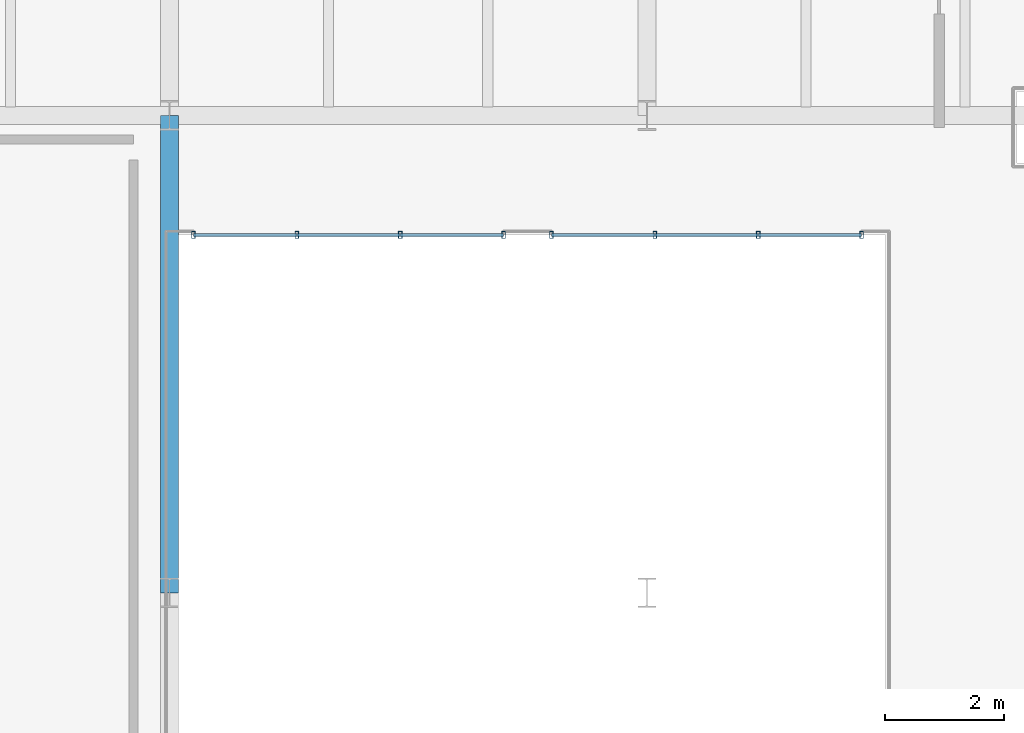
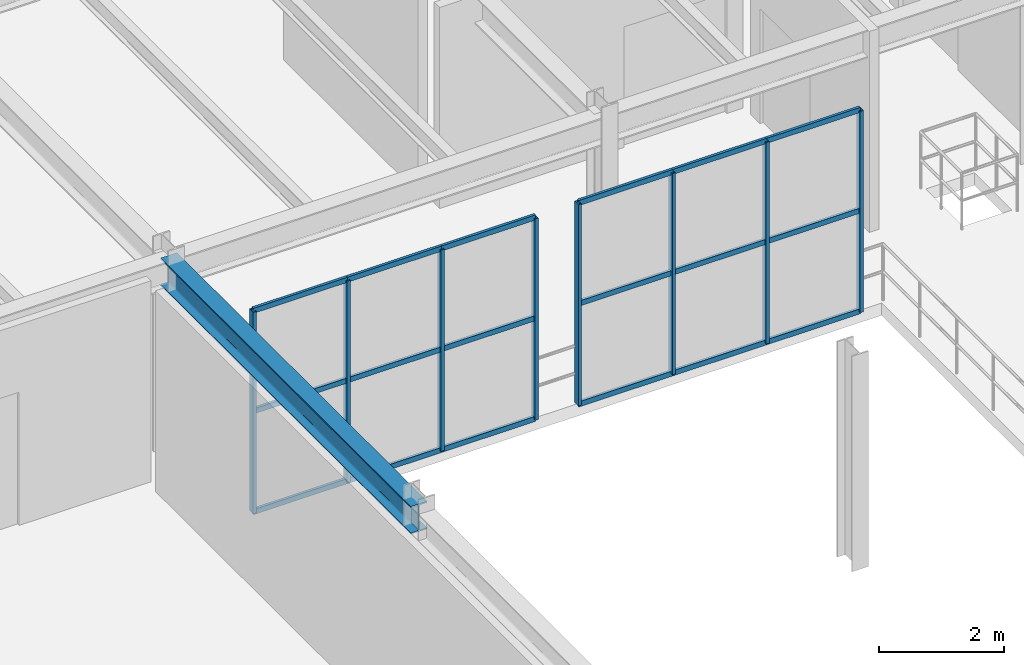
# One storey, part 64 of 122: 26 members, 1 beam, 2 elements without a shape of their own.
"""IFC4 building model written with IfcOpenShell, lengths in metres."""

from ifc_helpers import new_model, si_unit, direction, frame, origin, origin_2d, place, context, subcontext, project, spatial, hollow_rectangle, i_section, extrude, material, material_profile, profile_set, type_object, element, aggregate, save


model = new_model("IFC4")

# Units and contexts
model_context = context("Model", 3, precision=1e-05, world=origin(), true_north=direction((0.0, 1.0)))
body_context = subcontext(model_context, "Body", "Model", "MODEL_VIEW")
ifc_project = project(units=[si_unit("LENGTHUNIT", "METRE"), si_unit("AREAUNIT", "SQUARE_METRE"), si_unit("VOLUMEUNIT", "CUBIC_METRE"), si_unit("PLANEANGLEUNIT", "RADIAN"), si_unit("MASSUNIT", "GRAM", prefix="KILO")], contexts=[model_context])

# Site, building, storey
site_placement = place(None, origin())
site = spatial("IfcSite", under=ifc_project, at=site_placement, CompositionType="ELEMENT")
building_placement = place(site_placement, origin())
building = spatial("IfcBuilding", under=site, at=building_placement, Name="Sundkrona Museum", CompositionType="ELEMENT")
storey_placement = place(building_placement, frame((0.0, 0.0, 5.39990234375)))
storey = spatial("IfcBuildingStorey", under=building, at=storey_placement, Name="L01", CompositionType="ELEMENT", Elevation=5.39990234375)

# Beam
ifc_material_1 = material(Name="Steel S355J2", Category="steel")
ifc_material_profile_1 = material_profile(ifc_material_1, i_section(OverallWidth=0.300048828125, OverallDepth=0.5400390625, WebThickness=0.012451171875, FlangeThickness=0.02392578125, FilletRadius=0.027099609375, at=origin_2d()), Name="HEA 550")
ifc_profile_set_1 = profile_set([ifc_material_profile_1], Name="Steel S355J2")
beam_type = type_object("IfcBeamType", Name="B-HEA550", PredefinedType="BEAM", material=ifc_profile_set_1)
beam_placement = place(storey_placement, frame((136.0, 24.0, 3.650146484375), z_axis=(0.0, 1.0, 0.0), x_axis=(-1.0, 0.0, 0.0)))
element("IfcBeam", 1, at=beam_placement, inside=storey, type_object=beam_type, Name="L01 Girder Y-1056", PredefinedType="BEAM", context=body_context, shape_type="SweptSolid", body=[
    extrude(i_section(OverallWidth=0.300048828125, OverallDepth=0.5400390625, WebThickness=0.012451171875, FlangeThickness=0.02392578125, FilletRadius=0.027099609375, at=origin_2d()), origin(), (0.0, 0.0, 1.0), 8.0),
])

# Curtain wall, members
ifc_material_2 = material(Name="Unitised Aluminium-Steel and Ceramic-Clad Curtain Walling", Category="steel")
curtain_wall_type = type_object("IfcCurtainWallType", Name="CW-SC-52x38", PredefinedType="NOTDEFINED", material=ifc_material_2)
curtain_wall_1_placement = place(storey_placement, origin())
curtain_wall_1 = element("IfcCurtainWall", 2, at=curtain_wall_1_placement, inside=storey, type_object=curtain_wall_type, Name="L01 Curtain Wall CW-L01-002", PredefinedType="NOTDEFINED")
ifc_material_3 = material(Name="Aluminium EN AW-6060 T66", Category="aluminium")
ifc_material_profile_2 = material_profile(ifc_material_3, hollow_rectangle(XDim=0.06005859375, YDim=0.1201171875, WallThickness=0.0048828125, at=origin_2d()), Name="RHS 120x60x5.0")
ifc_profile_set_2 = profile_set([ifc_material_profile_2], Name="Aluminium EN AW-6060 T66")
member_type_1 = type_object("IfcMemberType", Name="ML-120", PredefinedType="MULLION", material=ifc_profile_set_2)
member_1_placement = place(storey_placement, frame((136.39990234375, 30.0, -0.00390625), z_axis=(0.0, 0.0, 1.0), x_axis=(1.0, 0.0, 0.0)))
member_1 = element("IfcMember", 3, at=member_1_placement, type_object=member_type_1, Name="CW-L01-002 Mullion 01", PredefinedType="MULLION", context=body_context, shape_type="SweptSolid", body=[
    extrude(hollow_rectangle(XDim=0.06005859375, YDim=0.1201171875, WallThickness=0.0048828125, at=origin_2d()), origin(), (0.0, 0.0, 1.0), 3.927978515625),
])
member_2_placement = place(storey_placement, frame((138.13330078125, 30.0, -0.00390625), z_axis=(0.0, 0.0, 1.0), x_axis=(1.0, 0.0, 0.0)))
member_2 = element("IfcMember", 4, at=member_2_placement, type_object=member_type_1, Name="CW-L01-002 Mullion 02", PredefinedType="MULLION", context=body_context, shape_type="SweptSolid", body=[
    extrude(hollow_rectangle(XDim=0.06005859375, YDim=0.1201171875, WallThickness=0.0048828125, at=origin_2d()), origin(), (0.0, 0.0, 1.0), 3.927978515625),
])
member_3_placement = place(storey_placement, frame((139.86669921875, 30.0, -0.00390625), z_axis=(0.0, 0.0, 1.0), x_axis=(1.0, 0.0, 0.0)))
member_3 = element("IfcMember", 5, at=member_3_placement, type_object=member_type_1, Name="CW-L01-002 Mullion 03", PredefinedType="MULLION", context=body_context, shape_type="SweptSolid", body=[
    extrude(hollow_rectangle(XDim=0.06005859375, YDim=0.1201171875, WallThickness=0.0048828125, at=origin_2d()), origin(), (0.0, 0.0, 1.0), 3.927978515625),
])
member_4_placement = place(storey_placement, frame((141.60009765625, 30.0, -0.00390625), z_axis=(0.0, 0.0, 1.0), x_axis=(1.0, 0.0, 0.0)))
member_4 = element("IfcMember", 6, at=member_4_placement, type_object=member_type_1, Name="CW-L01-002 Mullion 04", PredefinedType="MULLION", context=body_context, shape_type="SweptSolid", body=[
    extrude(hollow_rectangle(XDim=0.06005859375, YDim=0.1201171875, WallThickness=0.0048828125, at=origin_2d()), origin(), (0.0, 0.0, 1.0), 3.927978515625),
])

curtain_wall_2_placement = place(storey_placement, origin())
curtain_wall_2 = element("IfcCurtainWall", 7, at=curtain_wall_2_placement, inside=storey, type_object=curtain_wall_type, Name="L01 Curtain Wall CW-L01-004", PredefinedType="NOTDEFINED")
member_5_placement = place(storey_placement, frame((142.39990234375, 30.0, -0.00390625), z_axis=(0.0, 0.0, 1.0), x_axis=(1.0, 0.0, 0.0)))
member_5 = element("IfcMember", 8, at=member_5_placement, type_object=member_type_1, Name="CW-L01-004 Mullion 01", PredefinedType="MULLION", context=body_context, shape_type="SweptSolid", body=[
    extrude(hollow_rectangle(XDim=0.06005859375, YDim=0.1201171875, WallThickness=0.0048828125, at=origin_2d()), origin(), (0.0, 0.0, 1.0), 3.927978515625),
])
member_6_placement = place(storey_placement, frame((144.13330078125, 30.0, -0.00390625), z_axis=(0.0, 0.0, 1.0), x_axis=(1.0, 0.0, 0.0)))
member_6 = element("IfcMember", 9, at=member_6_placement, type_object=member_type_1, Name="CW-L01-004 Mullion 02", PredefinedType="MULLION", context=body_context, shape_type="SweptSolid", body=[
    extrude(hollow_rectangle(XDim=0.06005859375, YDim=0.1201171875, WallThickness=0.0048828125, at=origin_2d()), origin(), (0.0, 0.0, 1.0), 3.927978515625),
])
member_7_placement = place(storey_placement, frame((145.86669921875, 30.0, -0.00390625), z_axis=(0.0, 0.0, 1.0), x_axis=(1.0, 0.0, 0.0)))
member_7 = element("IfcMember", 10, at=member_7_placement, type_object=member_type_1, Name="CW-L01-004 Mullion 03", PredefinedType="MULLION", context=body_context, shape_type="SweptSolid", body=[
    extrude(hollow_rectangle(XDim=0.06005859375, YDim=0.1201171875, WallThickness=0.0048828125, at=origin_2d()), origin(), (0.0, 0.0, 1.0), 3.927978515625),
])
member_8_placement = place(storey_placement, frame((147.60009765625, 30.0, -0.00390625), z_axis=(0.0, 0.0, 1.0), x_axis=(1.0, 0.0, 0.0)))
member_8 = element("IfcMember", 11, at=member_8_placement, type_object=member_type_1, Name="CW-L01-004 Mullion 04", PredefinedType="MULLION", context=body_context, shape_type="SweptSolid", body=[
    extrude(hollow_rectangle(XDim=0.06005859375, YDim=0.1201171875, WallThickness=0.0048828125, at=origin_2d()), origin(), (0.0, 0.0, 1.0), 3.927978515625),
])

# Member
ifc_material_profile_3 = material_profile(ifc_material_3, hollow_rectangle(XDim=0.050048828125, YDim=0.10009765625, WallThickness=0.0048828125, at=origin_2d()), Name="RHS 100x50x5.0")
ifc_profile_set_3 = profile_set([ifc_material_profile_3], Name="Aluminium EN AW-6060 T66")
member_type_2 = type_object("IfcMemberType", Name="TR-100", PredefinedType="USERDEFINED", material=ifc_profile_set_3)
member_9_placement = place(storey_placement, frame((136.39990234375, 30.0, -0.00390625), z_axis=(1.0, 0.0, 0.0), x_axis=(0.0, 1.0, 0.0)))
member_9 = element("IfcMember", 12, at=member_9_placement, type_object=member_type_2, Name="CW-L01-002 Transom 01", ObjectType="TRANSOM", PredefinedType="USERDEFINED", context=body_context, shape_type="SweptSolid", body=[
    extrude(hollow_rectangle(XDim=0.050048828125, YDim=0.10009765625, WallThickness=0.0048828125, at=origin_2d()), origin(), (0.0, 0.0, 1.0), 1.7333984375),
])

member_10_placement = place(storey_placement, frame((136.39990234375, 30.0, 1.960205078125), z_axis=(1.0, 0.0, 0.0), x_axis=(0.0, 1.0, 0.0)))
member_10 = element("IfcMember", 13, at=member_10_placement, type_object=member_type_2, Name="CW-L01-002 Transom 02", ObjectType="TRANSOM", PredefinedType="USERDEFINED", context=body_context, shape_type="SweptSolid", body=[
    extrude(hollow_rectangle(XDim=0.050048828125, YDim=0.10009765625, WallThickness=0.0048828125, at=origin_2d()), origin(), (0.0, 0.0, 1.0), 1.7333984375),
])

member_11_placement = place(storey_placement, frame((136.39990234375, 30.0, 3.924072265625), z_axis=(1.0, 0.0, 0.0), x_axis=(0.0, 1.0, 0.0)))
member_11 = element("IfcMember", 14, at=member_11_placement, type_object=member_type_2, Name="CW-L01-002 Transom 03", ObjectType="TRANSOM", PredefinedType="USERDEFINED", context=body_context, shape_type="SweptSolid", body=[
    extrude(hollow_rectangle(XDim=0.050048828125, YDim=0.10009765625, WallThickness=0.0048828125, at=origin_2d()), origin(), (0.0, 0.0, 1.0), 1.7333984375),
])

member_12_placement = place(storey_placement, frame((138.13330078125, 30.0, -0.00390625), z_axis=(1.0, 0.0, 0.0), x_axis=(0.0, 1.0, 0.0)))
member_12 = element("IfcMember", 15, at=member_12_placement, type_object=member_type_2, Name="CW-L01-002 Transom 04", ObjectType="TRANSOM", PredefinedType="USERDEFINED", context=body_context, shape_type="SweptSolid", body=[
    extrude(hollow_rectangle(XDim=0.050048828125, YDim=0.10009765625, WallThickness=0.0048828125, at=origin_2d()), origin(), (0.0, 0.0, 1.0), 1.7333984375),
])

member_13_placement = place(storey_placement, frame((138.13330078125, 30.0, 1.960205078125), z_axis=(1.0, 0.0, 0.0), x_axis=(0.0, 1.0, 0.0)))
member_13 = element("IfcMember", 16, at=member_13_placement, type_object=member_type_2, Name="CW-L01-002 Transom 05", ObjectType="TRANSOM", PredefinedType="USERDEFINED", context=body_context, shape_type="SweptSolid", body=[
    extrude(hollow_rectangle(XDim=0.050048828125, YDim=0.10009765625, WallThickness=0.0048828125, at=origin_2d()), origin(), (0.0, 0.0, 1.0), 1.7333984375),
])

member_14_placement = place(storey_placement, frame((138.13330078125, 30.0, 3.924072265625), z_axis=(1.0, 0.0, 0.0), x_axis=(0.0, 1.0, 0.0)))
member_14 = element("IfcMember", 17, at=member_14_placement, type_object=member_type_2, Name="CW-L01-002 Transom 06", ObjectType="TRANSOM", PredefinedType="USERDEFINED", context=body_context, shape_type="SweptSolid", body=[
    extrude(hollow_rectangle(XDim=0.050048828125, YDim=0.10009765625, WallThickness=0.0048828125, at=origin_2d()), origin(), (0.0, 0.0, 1.0), 1.7333984375),
])

member_15_placement = place(storey_placement, frame((139.86669921875, 30.0, -0.00390625), z_axis=(1.0, 0.0, 0.0), x_axis=(0.0, 1.0, 0.0)))
member_15 = element("IfcMember", 18, at=member_15_placement, type_object=member_type_2, Name="CW-L01-002 Transom 07", ObjectType="TRANSOM", PredefinedType="USERDEFINED", context=body_context, shape_type="SweptSolid", body=[
    extrude(hollow_rectangle(XDim=0.050048828125, YDim=0.10009765625, WallThickness=0.0048828125, at=origin_2d()), origin(), (0.0, 0.0, 1.0), 1.7333984375),
])

member_16_placement = place(storey_placement, frame((139.86669921875, 30.0, 1.960205078125), z_axis=(1.0, 0.0, 0.0), x_axis=(0.0, 1.0, 0.0)))
member_16 = element("IfcMember", 19, at=member_16_placement, type_object=member_type_2, Name="CW-L01-002 Transom 08", ObjectType="TRANSOM", PredefinedType="USERDEFINED", context=body_context, shape_type="SweptSolid", body=[
    extrude(hollow_rectangle(XDim=0.050048828125, YDim=0.10009765625, WallThickness=0.0048828125, at=origin_2d()), origin(), (0.0, 0.0, 1.0), 1.7333984375),
])

member_17_placement = place(storey_placement, frame((139.86669921875, 30.0, 3.924072265625), z_axis=(1.0, 0.0, 0.0), x_axis=(0.0, 1.0, 0.0)))
member_17 = element("IfcMember", 20, at=member_17_placement, type_object=member_type_2, Name="CW-L01-002 Transom 09", ObjectType="TRANSOM", PredefinedType="USERDEFINED", context=body_context, shape_type="SweptSolid", body=[
    extrude(hollow_rectangle(XDim=0.050048828125, YDim=0.10009765625, WallThickness=0.0048828125, at=origin_2d()), origin(), (0.0, 0.0, 1.0), 1.7333984375),
])

aggregate(curtain_wall_1, [member_1, member_2, member_3, member_4, member_9, member_10, member_11, member_12, member_13, member_14, member_15, member_16, member_17])

member_18_placement = place(storey_placement, frame((142.39990234375, 30.0, -0.00390625), z_axis=(1.0, 0.0, 0.0), x_axis=(0.0, 1.0, 0.0)))
member_18 = element("IfcMember", 21, at=member_18_placement, type_object=member_type_2, Name="CW-L01-004 Transom 01", ObjectType="TRANSOM", PredefinedType="USERDEFINED", context=body_context, shape_type="SweptSolid", body=[
    extrude(hollow_rectangle(XDim=0.050048828125, YDim=0.10009765625, WallThickness=0.0048828125, at=origin_2d()), origin(), (0.0, 0.0, 1.0), 1.7333984375),
])

member_19_placement = place(storey_placement, frame((142.39990234375, 30.0, 1.960205078125), z_axis=(1.0, 0.0, 0.0), x_axis=(0.0, 1.0, 0.0)))
member_19 = element("IfcMember", 22, at=member_19_placement, type_object=member_type_2, Name="CW-L01-004 Transom 02", ObjectType="TRANSOM", PredefinedType="USERDEFINED", context=body_context, shape_type="SweptSolid", body=[
    extrude(hollow_rectangle(XDim=0.050048828125, YDim=0.10009765625, WallThickness=0.0048828125, at=origin_2d()), origin(), (0.0, 0.0, 1.0), 1.7333984375),
])

member_20_placement = place(storey_placement, frame((142.39990234375, 30.0, 3.924072265625), z_axis=(1.0, 0.0, 0.0), x_axis=(0.0, 1.0, 0.0)))
member_20 = element("IfcMember", 23, at=member_20_placement, type_object=member_type_2, Name="CW-L01-004 Transom 03", ObjectType="TRANSOM", PredefinedType="USERDEFINED", context=body_context, shape_type="SweptSolid", body=[
    extrude(hollow_rectangle(XDim=0.050048828125, YDim=0.10009765625, WallThickness=0.0048828125, at=origin_2d()), origin(), (0.0, 0.0, 1.0), 1.7333984375),
])

member_21_placement = place(storey_placement, frame((144.13330078125, 30.0, -0.00390625), z_axis=(1.0, 0.0, 0.0), x_axis=(0.0, 1.0, 0.0)))
member_21 = element("IfcMember", 24, at=member_21_placement, type_object=member_type_2, Name="CW-L01-004 Transom 04", ObjectType="TRANSOM", PredefinedType="USERDEFINED", context=body_context, shape_type="SweptSolid", body=[
    extrude(hollow_rectangle(XDim=0.050048828125, YDim=0.10009765625, WallThickness=0.0048828125, at=origin_2d()), origin(), (0.0, 0.0, 1.0), 1.7333984375),
])

member_22_placement = place(storey_placement, frame((144.13330078125, 30.0, 1.960205078125), z_axis=(1.0, 0.0, 0.0), x_axis=(0.0, 1.0, 0.0)))
member_22 = element("IfcMember", 25, at=member_22_placement, type_object=member_type_2, Name="CW-L01-004 Transom 05", ObjectType="TRANSOM", PredefinedType="USERDEFINED", context=body_context, shape_type="SweptSolid", body=[
    extrude(hollow_rectangle(XDim=0.050048828125, YDim=0.10009765625, WallThickness=0.0048828125, at=origin_2d()), origin(), (0.0, 0.0, 1.0), 1.7333984375),
])

member_23_placement = place(storey_placement, frame((144.13330078125, 30.0, 3.924072265625), z_axis=(1.0, 0.0, 0.0), x_axis=(0.0, 1.0, 0.0)))
member_23 = element("IfcMember", 26, at=member_23_placement, type_object=member_type_2, Name="CW-L01-004 Transom 06", ObjectType="TRANSOM", PredefinedType="USERDEFINED", context=body_context, shape_type="SweptSolid", body=[
    extrude(hollow_rectangle(XDim=0.050048828125, YDim=0.10009765625, WallThickness=0.0048828125, at=origin_2d()), origin(), (0.0, 0.0, 1.0), 1.7333984375),
])

member_24_placement = place(storey_placement, frame((145.86669921875, 30.0, -0.00390625), z_axis=(1.0, 0.0, 0.0), x_axis=(0.0, 1.0, 0.0)))
member_24 = element("IfcMember", 27, at=member_24_placement, type_object=member_type_2, Name="CW-L01-004 Transom 07", ObjectType="TRANSOM", PredefinedType="USERDEFINED", context=body_context, shape_type="SweptSolid", body=[
    extrude(hollow_rectangle(XDim=0.050048828125, YDim=0.10009765625, WallThickness=0.0048828125, at=origin_2d()), origin(), (0.0, 0.0, 1.0), 1.7333984375),
])

member_25_placement = place(storey_placement, frame((145.86669921875, 30.0, 1.960205078125), z_axis=(1.0, 0.0, 0.0), x_axis=(0.0, 1.0, 0.0)))
member_25 = element("IfcMember", 28, at=member_25_placement, type_object=member_type_2, Name="CW-L01-004 Transom 08", ObjectType="TRANSOM", PredefinedType="USERDEFINED", context=body_context, shape_type="SweptSolid", body=[
    extrude(hollow_rectangle(XDim=0.050048828125, YDim=0.10009765625, WallThickness=0.0048828125, at=origin_2d()), origin(), (0.0, 0.0, 1.0), 1.7333984375),
])

member_26_placement = place(storey_placement, frame((145.86669921875, 30.0, 3.924072265625), z_axis=(1.0, 0.0, 0.0), x_axis=(0.0, 1.0, 0.0)))
member_26 = element("IfcMember", 29, at=member_26_placement, type_object=member_type_2, Name="CW-L01-004 Transom 09", ObjectType="TRANSOM", PredefinedType="USERDEFINED", context=body_context, shape_type="SweptSolid", body=[
    extrude(hollow_rectangle(XDim=0.050048828125, YDim=0.10009765625, WallThickness=0.0048828125, at=origin_2d()), origin(), (0.0, 0.0, 1.0), 1.7333984375),
])

aggregate(curtain_wall_2, [member_5, member_6, member_7, member_8, member_18, member_19, member_20, member_21, member_22, member_23, member_24, member_25, member_26])

save(model, "model.ifc")
